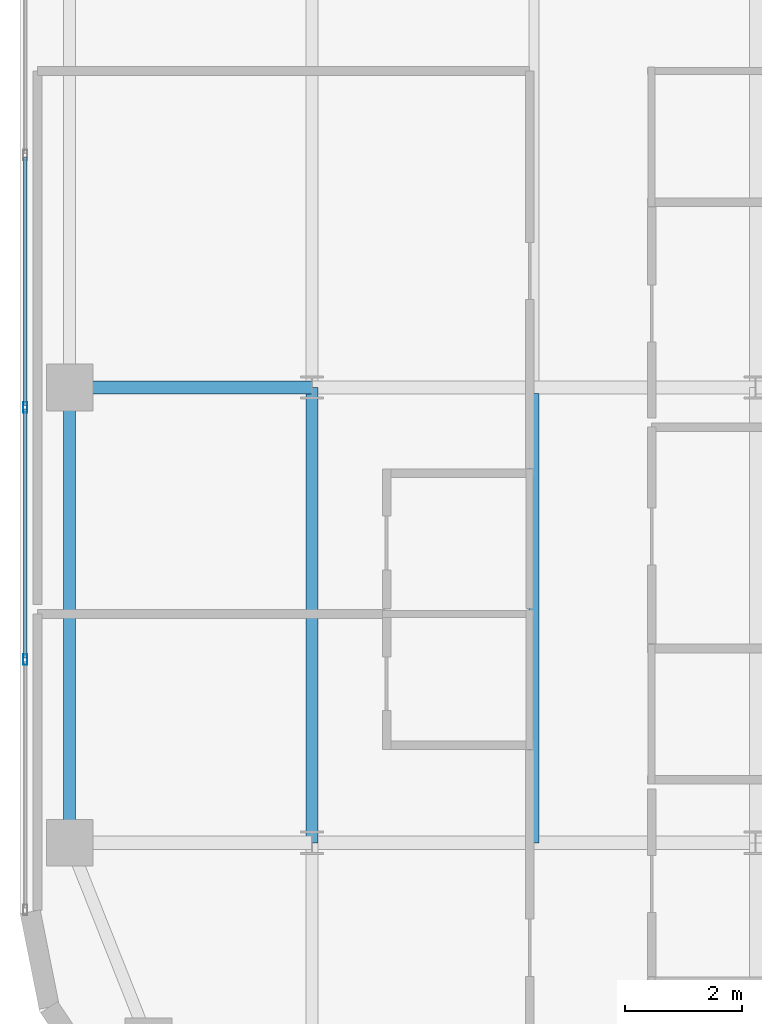
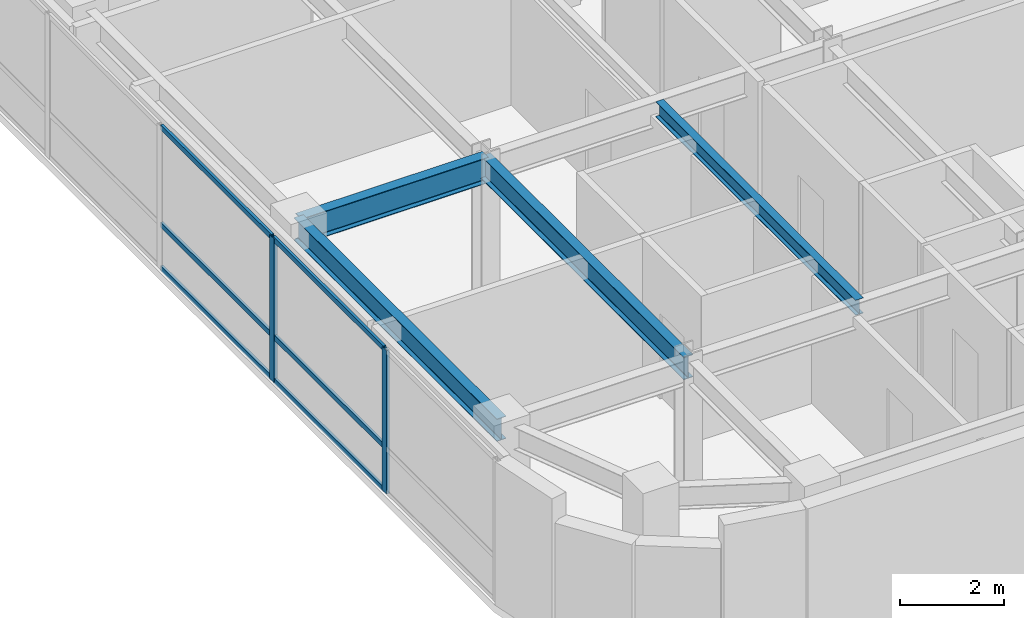
# One storey, part 5 of 24: 8 members, 4 beams, 1 element without a shape of its own.
"""IFC4 building model written with IfcOpenShell, lengths in metres."""

from ifc_helpers import new_model, si_unit, direction, frame, origin, origin_2d, place, context, subcontext, project, spatial, hollow_rectangle, i_section, extrude, source, transform, mapped, material, layer, layer_set, material_profile, profile_set, type_object, type_shapes, element, aggregate, save


model = new_model("IFC4")

# Units and contexts
model_context = context("Model", 3, precision=1e-05, world=origin(), true_north=direction((0.0, 1.0)))
body_context = subcontext(model_context, "Body", "Model", "MODEL_VIEW")
ifc_project = project(units=[si_unit("LENGTHUNIT", "METRE"), si_unit("AREAUNIT", "SQUARE_METRE"), si_unit("VOLUMEUNIT", "CUBIC_METRE"), si_unit("PLANEANGLEUNIT", "RADIAN"), si_unit("MASSUNIT", "GRAM", prefix="KILO")], contexts=[model_context])

# Site, building, storey
site_placement = place(None, origin())
site = spatial("IfcSite", under=ifc_project, at=site_placement, CompositionType="ELEMENT")
building_placement = place(site_placement, origin())
building = spatial("IfcBuilding", under=site, at=building_placement, Name="Tolvann Quenvar Hotel", CompositionType="ELEMENT")
storey_placement = place(building_placement, frame((0.0, 0.0, 194.64990234375)))
storey = spatial("IfcBuildingStorey", under=building, at=storey_placement, Name="L51", CompositionType="ELEMENT", Elevation=194.64990234375)

# Beams
ifc_material_1 = material(Name="Steel Grade 350", Category="steel")
ifc_material_profile_1 = material_profile(ifc_material_1, i_section(OverallWidth=0.208984375, OverallDepth=0.528076171875, WebThickness=0.009521484375, FlangeThickness=0.01318359375, FilletRadius=0.013916015625, at=origin_2d()), Name="530UB82")
ifc_profile_set_1 = profile_set([ifc_material_profile_1], Name="Steel Grade 350")
beam_type_1 = type_object("IfcBeamType", Name="BM_SPAND_530UB82", PredefinedType="SPANDREL", material=ifc_profile_set_1)
shared_shape_1 = source(origin(), body_context, "Body", "SweptSolid", [
    extrude(i_section(OverallWidth=0.208984375, OverallDepth=0.528076171875, WebThickness=0.009521484375, FlangeThickness=0.01318359375, FilletRadius=0.013916015625, at=origin_2d()), origin(), (0.0, 0.0, 1.0), 7.800048828125),
])
type_shapes(beam_type_1, [shared_shape_1])
beam_1_placement = place(storey_placement, frame((3.449951171875, 8.199951171875, 3.106201171875), z_axis=(0.0, 1.0, 0.0), x_axis=(-1.0, 0.0, 0.0)))
element("IfcBeam", 1, at=beam_1_placement, inside=storey, type_object=beam_type_1, Name="BM-L51-NS-B3-B4", PredefinedType="SPANDREL", context=body_context, shape_type="MappedRepresentation", body=[
    mapped(shared_shape_1, transform((0.0, 0.0, 0.0), x_axis=(1.0, 0.0, 0.0), y_axis=(0.0, 1.0, 0.0), z_axis=(0.0, 0.0, 1.0), scale=1.0)),
])
ifc_material_profile_2 = material_profile(ifc_material_1, i_section(OverallWidth=0.208984375, OverallDepth=0.532958984375, WebThickness=0.01025390625, FlangeThickness=0.015625, FilletRadius=0.013916015625, at=origin_2d()), Name="530UB92")
ifc_profile_set_2 = profile_set([ifc_material_profile_2], Name="Steel Grade 350")
beam_type_2 = type_object("IfcBeamType", Name="BM_GIRD_530UB92", PredefinedType="BEAM", material=ifc_profile_set_2)
shared_shape_2 = source(origin(), body_context, "Body", "SweptSolid", [
    extrude(i_section(OverallWidth=0.208984375, OverallDepth=0.532958984375, WebThickness=0.01025390625, FlangeThickness=0.015625, FilletRadius=0.013916015625, at=origin_2d()), origin(), (0.0, 0.0, 1.0), 7.800048828125),
])
type_shapes(beam_type_2, [shared_shape_2])
beam_2_placement = place(storey_placement, frame((7.60009765625, 8.199951171875, 3.103515625), z_axis=(0.0, 1.0, 0.0), x_axis=(-1.0, 0.0, 0.0)))
element("IfcBeam", 2, at=beam_2_placement, inside=storey, type_object=beam_type_2, Name="BM-L51-NS-C3-C4", PredefinedType="BEAM", context=body_context, shape_type="MappedRepresentation", body=[
    mapped(shared_shape_2, transform((0.0, 0.0, 0.0), x_axis=(1.0, 0.0, 0.0), y_axis=(0.0, 1.0, 0.0), z_axis=(0.0, 0.0, 1.0), scale=1.0)),
])
ifc_material_profile_3 = material_profile(ifc_material_1, i_section(OverallWidth=0.22802734375, OverallDepth=0.60205078125, WebThickness=0.010498046875, FlangeThickness=0.014892578125, FilletRadius=0.013916015625, at=origin_2d()), Name="610UB101")
ifc_profile_set_3 = profile_set([ifc_material_profile_3], Name="Steel Grade 350")
beam_type_3 = type_object("IfcBeamType", Name="BM_GIRD_610UB101", PredefinedType="BEAM", material=ifc_profile_set_3)
shared_shape_3 = source(origin(), body_context, "Body", "SweptSolid", [
    extrude(i_section(OverallWidth=0.22802734375, OverallDepth=0.60205078125, WebThickness=0.010498046875, FlangeThickness=0.014892578125, FilletRadius=0.013916015625, at=origin_2d()), origin(), (0.0, 0.0, 1.0), 4.150146484375),
])
type_shapes(beam_type_3, [shared_shape_3])
beam_3_placement = place(storey_placement, frame((3.449951171875, 16.0, 3.069091796875), z_axis=(1.0, 0.0, 0.0), x_axis=(0.0, 1.0, 0.0)))
element("IfcBeam", 3, at=beam_3_placement, inside=storey, type_object=beam_type_3, Name="BM-L51-EW-4-B4-C4", PredefinedType="BEAM", context=body_context, shape_type="MappedRepresentation", body=[
    mapped(shared_shape_3, transform((0.0, 0.0, 0.0), x_axis=(1.0, 0.0, 0.0), y_axis=(0.0, 1.0, 0.0), z_axis=(0.0, 0.0, 1.0), scale=1.0)),
])
ifc_material_profile_4 = material_profile(ifc_material_1, i_section(OverallWidth=0.172119140625, OverallDepth=0.35888671875, WebThickness=0.008056640625, FlangeThickness=0.012939453125, FilletRadius=0.011474609375, at=origin_2d()), Name="360UB57")
ifc_profile_set_4 = profile_set([ifc_material_profile_4], Name="Steel Grade 350")
beam_type_4 = type_object("IfcBeamType", Name="BM_JOIST_360UB57", PredefinedType="JOIST", material=ifc_profile_set_4)
shared_shape_4 = source(origin(), body_context, "Body", "SweptSolid", [
    extrude(i_section(OverallWidth=0.172119140625, OverallDepth=0.35888671875, WebThickness=0.008056640625, FlangeThickness=0.012939453125, FilletRadius=0.011474609375, at=origin_2d()), origin(), (0.0, 0.0, 1.0), 7.692138671875),
])
type_shapes(beam_type_4, [shared_shape_4])
beam_4_placement = place(storey_placement, frame((11.39990234375, 8.199951171875, 3.190673828125), z_axis=(0.0, 1.0, 0.0), x_axis=(-1.0, 0.0, 0.0)))
element("IfcBeam", 4, at=beam_4_placement, inside=storey, type_object=beam_type_4, Name="BJ-L51-114-82", PredefinedType="JOIST", context=body_context, shape_type="MappedRepresentation", body=[
    mapped(shared_shape_4, transform((0.0, 0.0, 0.0), x_axis=(1.0, 0.0, 0.0), y_axis=(0.0, 1.0, 0.0), z_axis=(0.0, 0.0, 1.0), scale=1.0)),
])

# Curtain wall, members
ifc_material_2 = material(Name="Thermally broken anodised architectural aluminium 6063-T6 and laminated low-E glass", Category="aluminium")
ifc_layer = layer(ifc_material_2, 0.179931640625)
ifc_layer_set = layer_set([ifc_layer], Name="Thermally broken anodised architectural aluminium 6063-T6 and laminated low-E glass")
curtain_wall_type = type_object("IfcCurtainWallType", Name="CW_SYS_BAND_04", PredefinedType="USERDEFINED", material=ifc_layer_set)
curtain_wall_placement = place(storey_placement, origin())
curtain_wall = element("IfcCurtainWall", 5, at=curtain_wall_placement, inside=storey, type_object=curtain_wall_type, Name="Curtain Wall CW-BAND-04 (CWR-L51-E23)", ObjectType="UNITISED CURTAIN WALL", PredefinedType="USERDEFINED")
ifc_material_3 = material(Name="Anodised architectural aluminium 6063-T6 framing", Category="aluminium")
ifc_material_profile_5 = material_profile(ifc_material_3, hollow_rectangle(XDim=0.070068359375, YDim=0.179931640625, WallThickness=0.00390625, at=origin_2d()), Name="180x70x4RHS")
ifc_profile_set_5 = profile_set([ifc_material_profile_5], Name="Anodised architectural aluminium 6063-T6 framing")
member_type_1 = type_object("IfcMemberType", Name="CW_MULL_180x70", PredefinedType="MULLION", material=ifc_profile_set_5)
shared_shape_5 = source(origin(), body_context, "Body", "SweptSolid", [
    extrude(hollow_rectangle(XDim=0.070068359375, YDim=0.179931640625, WallThickness=0.00390625, at=origin_2d()), origin(), (0.0, 0.0, 1.0), 3.3701171875),
])
type_shapes(member_type_1, [shared_shape_5])
member_1_placement = place(storey_placement, frame((2.68994140625, 15.65869140625, 0.0), z_axis=(0.0, 0.0, 1.0), x_axis=(1.0, 0.0, 0.0)))
member_1 = element("IfcMember", 6, at=member_1_placement, type_object=member_type_1, Name="CW-BAND-04 mullion 7", PredefinedType="MULLION", context=body_context, shape_type="MappedRepresentation", body=[
    mapped(shared_shape_5, transform((0.0, 0.0, 0.0), x_axis=(1.0, 0.0, 0.0), y_axis=(0.0, 1.0, 0.0), z_axis=(0.0, 0.0, 1.0), scale=1.0)),
])
member_2_placement = place(storey_placement, frame((2.68994140625, 11.337890625, 0.0), z_axis=(0.0, 0.0, 1.0), x_axis=(1.0, 0.0, 0.0)))
member_2 = element("IfcMember", 7, at=member_2_placement, type_object=member_type_1, Name="CW-BAND-04 mullion 8", PredefinedType="MULLION", context=body_context, shape_type="MappedRepresentation", body=[
    mapped(shared_shape_5, transform((0.0, 0.0, 0.0), x_axis=(1.0, 0.0, 0.0), y_axis=(0.0, 1.0, 0.0), z_axis=(0.0, 0.0, 1.0), scale=1.0)),
])
ifc_material_profile_6 = material_profile(ifc_material_3, hollow_rectangle(XDim=0.06005859375, YDim=0.1201171875, WallThickness=0.00341796875, at=origin_2d()), Name="120x60x3.5RHS")
ifc_profile_set_6 = profile_set([ifc_material_profile_6], Name="Anodised architectural aluminium 6063-T6 framing")
member_type_2 = type_object("IfcMemberType", Name="CW_TRAN_120x60", PredefinedType="USERDEFINED", material=ifc_profile_set_6)
shared_shape_6 = source(origin(), body_context, "Body", "SweptSolid", [
    extrude(hollow_rectangle(XDim=0.06005859375, YDim=0.1201171875, WallThickness=0.00341796875, at=origin_2d()), origin(), (0.0, 0.0, 1.0), 4.250732421875),
])
type_shapes(member_type_2, [shared_shape_6])
member_3_placement = place(storey_placement, frame((2.68994140625, 19.9443359375, 0.030029296875), z_axis=(0.0, -1.0, 0.0), x_axis=(1.0, 0.0, 0.0)))
member_3 = element("IfcMember", 8, at=member_3_placement, type_object=member_type_2, Name="CW-BAND-04 transom 6.1", ObjectType="TRANSOM", PredefinedType="USERDEFINED", context=body_context, shape_type="MappedRepresentation", body=[
    mapped(shared_shape_6, transform((0.0, 0.0, 0.0), x_axis=(1.0, 0.0, 0.0), y_axis=(0.0, 1.0, 0.0), z_axis=(0.0, 0.0, 1.0), scale=1.0)),
])
member_4_placement = place(storey_placement, frame((2.68994140625, 19.9443359375, 1.050048828125), z_axis=(0.0, -1.0, 0.0), x_axis=(1.0, 0.0, 0.0)))
member_4 = element("IfcMember", 9, at=member_4_placement, type_object=member_type_2, Name="CW-BAND-04 transom 6.2", ObjectType="TRANSOM", PredefinedType="USERDEFINED", context=body_context, shape_type="MappedRepresentation", body=[
    mapped(shared_shape_6, transform((0.0, 0.0, 0.0), x_axis=(1.0, 0.0, 0.0), y_axis=(0.0, 1.0, 0.0), z_axis=(0.0, 0.0, 1.0), scale=1.0)),
])
member_5_placement = place(storey_placement, frame((2.68994140625, 19.9443359375, 3.340087890625), z_axis=(0.0, -1.0, 0.0), x_axis=(1.0, 0.0, 0.0)))
member_5 = element("IfcMember", 10, at=member_5_placement, type_object=member_type_2, Name="CW-BAND-04 transom 6.3", ObjectType="TRANSOM", PredefinedType="USERDEFINED", context=body_context, shape_type="MappedRepresentation", body=[
    mapped(shared_shape_6, transform((0.0, 0.0, 0.0), x_axis=(1.0, 0.0, 0.0), y_axis=(0.0, 1.0, 0.0), z_axis=(0.0, 0.0, 1.0), scale=1.0)),
])
member_6_placement = place(storey_placement, frame((2.68994140625, 15.62353515625, 0.030029296875), z_axis=(0.0, -1.0, 0.0), x_axis=(1.0, 0.0, 0.0)))
member_6 = element("IfcMember", 11, at=member_6_placement, type_object=member_type_2, Name="CW-BAND-04 transom 7.1", ObjectType="TRANSOM", PredefinedType="USERDEFINED", context=body_context, shape_type="MappedRepresentation", body=[
    mapped(shared_shape_6, transform((0.0, 0.0, 0.0), x_axis=(1.0, 0.0, 0.0), y_axis=(0.0, 1.0, 0.0), z_axis=(0.0, 0.0, 1.0), scale=1.0)),
])
member_7_placement = place(storey_placement, frame((2.68994140625, 15.62353515625, 1.050048828125), z_axis=(0.0, -1.0, 0.0), x_axis=(1.0, 0.0, 0.0)))
member_7 = element("IfcMember", 12, at=member_7_placement, type_object=member_type_2, Name="CW-BAND-04 transom 7.2", ObjectType="TRANSOM", PredefinedType="USERDEFINED", context=body_context, shape_type="MappedRepresentation", body=[
    mapped(shared_shape_6, transform((0.0, 0.0, 0.0), x_axis=(1.0, 0.0, 0.0), y_axis=(0.0, 1.0, 0.0), z_axis=(0.0, 0.0, 1.0), scale=1.0)),
])
member_8_placement = place(storey_placement, frame((2.68994140625, 15.62353515625, 3.340087890625), z_axis=(0.0, -1.0, 0.0), x_axis=(1.0, 0.0, 0.0)))
member_8 = element("IfcMember", 13, at=member_8_placement, type_object=member_type_2, Name="CW-BAND-04 transom 7.3", ObjectType="TRANSOM", PredefinedType="USERDEFINED", context=body_context, shape_type="MappedRepresentation", body=[
    mapped(shared_shape_6, transform((0.0, 0.0, 0.0), x_axis=(1.0, 0.0, 0.0), y_axis=(0.0, 1.0, 0.0), z_axis=(0.0, 0.0, 1.0), scale=1.0)),
])
aggregate(curtain_wall, [member_1, member_2, member_3, member_4, member_5, member_6, member_7, member_8])

save(model, "model.ifc")
